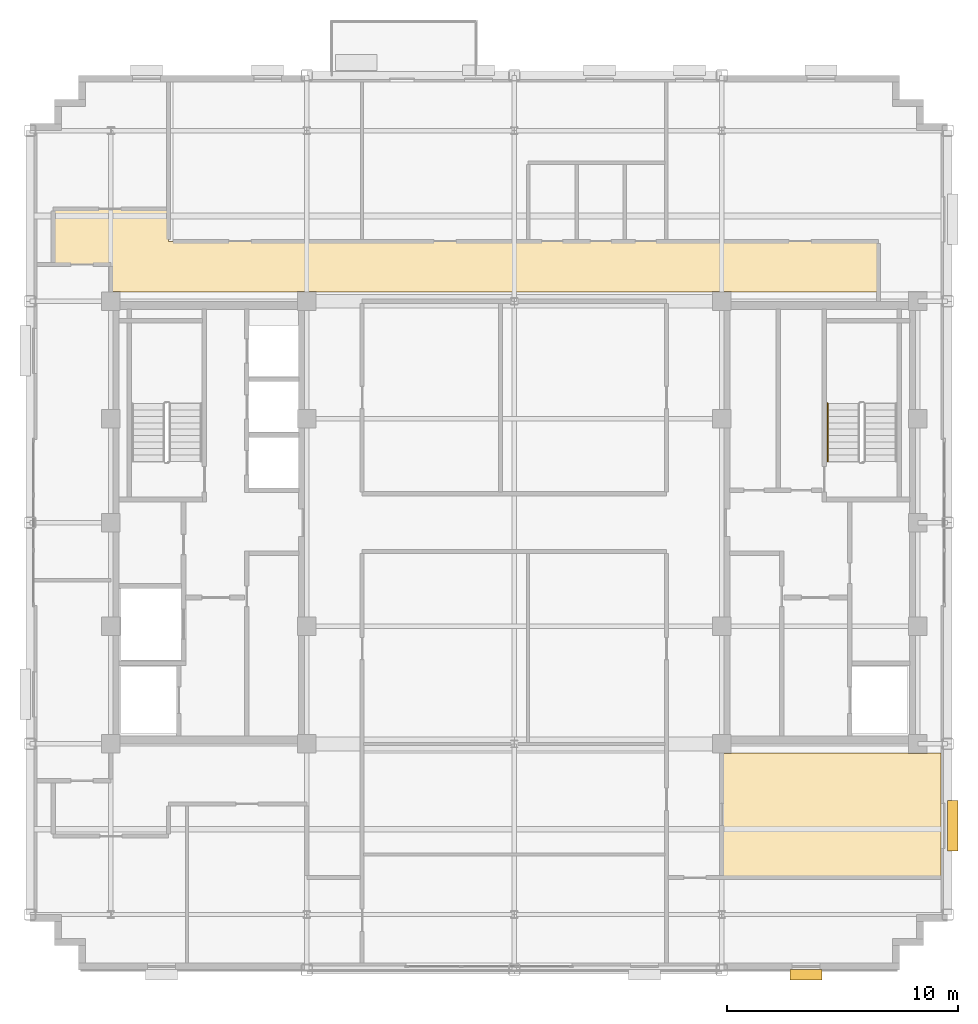
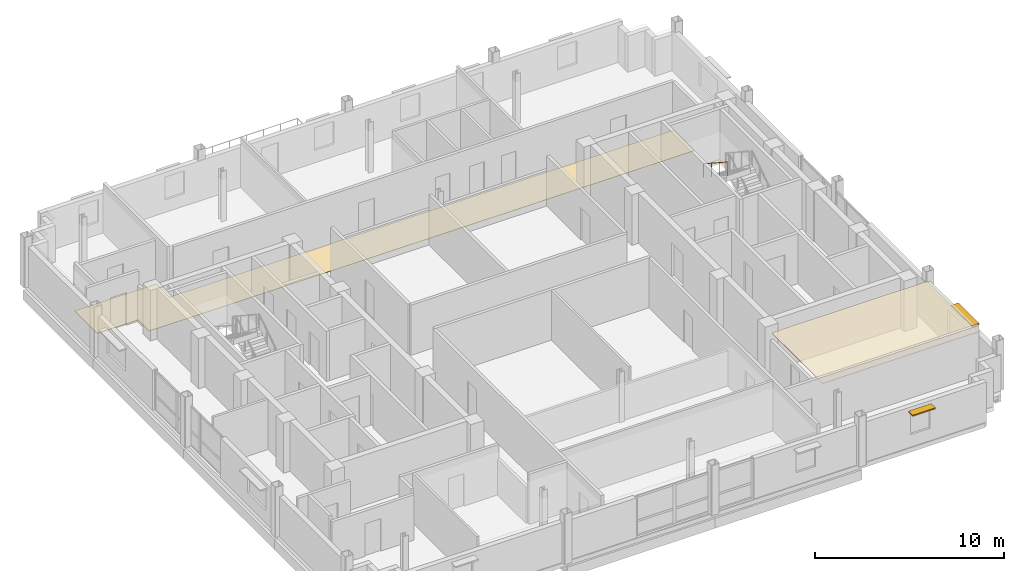
# One storey, part 14 of 16: 2 coverings, 2 shading devices, 1 railing.
"""IFC4 building model written with IfcOpenShell, lengths in metres."""

from ifc_helpers import new_model, si_unit, direction, frame, origin, origin_2d, place, context, subcontext, project, spatial, polyline, rectangle, circle, outline, extrude, source, transform, mapped, material, layer, layer_set, type_object, type_shapes, element, save


model = new_model("IFC4")

# Units and contexts
model_context = context("Model", 3, precision=1e-05, world=origin(), true_north=direction((0.0, 1.0)))
body_context = subcontext(model_context, "Body", "Model", "MODEL_VIEW")
ifc_project = project(units=[si_unit("LENGTHUNIT", "METRE"), si_unit("AREAUNIT", "SQUARE_METRE"), si_unit("VOLUMEUNIT", "CUBIC_METRE"), si_unit("PLANEANGLEUNIT", "RADIAN"), si_unit("MASSUNIT", "GRAM", prefix="KILO")], contexts=[model_context])

# Site, building, storey
site_placement = place(None, origin())
site = spatial("IfcSite", under=ifc_project, at=site_placement, CompositionType="ELEMENT")
building_placement = place(site_placement, origin())
building = spatial("IfcBuilding", under=site, at=building_placement, Name="Nuvemarco Arch Tower", CompositionType="ELEMENT")
storey_placement = place(building_placement, frame((0.0, 0.0, 249.300048828125)))
storey = spatial("IfcBuildingStorey", under=building, at=storey_placement, Name="L66", CompositionType="ELEMENT", Elevation=249.300048828125)

# Coverings
ifc_material_1 = material(Name="Mineral acoustic ceiling tile")
ifc_layer_1 = layer(ifc_material_1, 0.0400390625, Name="COV-ACOUSTIC-CLG")
ifc_layer_set_1 = layer_set([ifc_layer_1], Name="Mineral acoustic ceiling tile")
covering_type_1 = type_object("IfcCoveringType", Name="COV-ACOUSTIC-CLG", PredefinedType="CEILING", material=ifc_layer_set_1)
covering_1_placement = place(storey_placement, frame((0.0, 0.0, 2.72998046875)))
element("IfcCovering", 1, at=covering_1_placement, inside=storey, type_object=covering_type_1, Name="L66 suspended acoustic ceiling 6", PredefinedType="CEILING", context=body_context, shape_type="SweptSolid", body=[
    extrude(outline(polyline([(17.0849609375, -10.014892578125), (17.9150390625, -10.014892578125), (17.9150390625, -10.0), (18.5, -10.0), (18.5, -15.39990234375), (9.0, -15.39990234375), (9.0, -10.014892578125), (9.4150390625, -10.014892578125), (9.4150390625, -10.0), (17.0849609375, -10.0), (17.0849609375, -10.014892578125)])), origin(), (0.0, 0.0, 1.0), 0.0400390625),
])
ifc_material_2 = material(Name="Polished granite terrazzostone flooring", Category="masonry")
ifc_layer_2 = layer(ifc_material_2, 0.02001953125, Name="COV-LOBBY-FLR")
ifc_layer_set_2 = layer_set([ifc_layer_2], Name="Polished granite terrazzostone flooring")
covering_type_2 = type_object("IfcCoveringType", Name="COV-LOBBY-FLR", PredefinedType="FLOORING", material=ifc_layer_set_2)
covering_2_placement = place(storey_placement, origin())
element("IfcCovering", 2, at=covering_2_placement, inside=storey, type_object=covering_type_2, Name="L66 polished terrazzo lobby flooring", PredefinedType="FLOORING", context=body_context, shape_type="SweptSolid", body=[
    extrude(outline(polyline([(-8.5849609375, 10.014892578125), (-9.4150390625, 10.014892578125), (-9.4150390625, 10.0), (-17.0849609375, 10.0), (-17.0849609375, 10.014892578125), (-17.5, 10.014892578125), (-17.5, 11.199951171875), (-20.0, 11.199951171875), (-20.0, 13.60009765625), (-15.0, 13.60009765625), (-15.0, 12.199951171875), (-9.0, 12.199951171875), (-6.60009765625, 12.199951171875), (6.60009765625, 12.199951171875), (9.0, 12.199951171875), (15.800048828125, 12.199951171875), (15.800048828125, 10.0), (9.4150390625, 10.0), (9.4150390625, 10.014892578125), (8.5849609375, 10.014892578125), (8.5849609375, 10.0), (-8.5849609375, 10.0), (-8.5849609375, 10.014892578125)])), origin(), (0.0, 0.0, 1.0), 0.02001953125),
])

# Railing
ifc_material_3 = material(Name="Brushed stainless steel handrail", Category="steel")
railing_type = type_object("IfcRailingType", Name="RL-HANDRAIL-900", PredefinedType="HANDRAIL", material=ifc_material_3)
railing_placement = place(storey_placement, frame((13.590087890625, 5.169921875, 2.007568359375)))
element("IfcRailing", 3, at=railing_placement, inside=storey, type_object=railing_type, Name="L66 ST-2 stair handrail 2", PredefinedType="HANDRAIL", context=body_context, shape_type="SweptSolid", body=[
    extrude(circle(Radius=0.02392578125, at=origin_2d()), frame((0.0, 0.0, 0.8759765625), z_axis=(0.0, -0.837786554691, 0.545997883492), x_axis=(1.0, 0.0, 0.0)), (0.0, 0.0, 1.0), 3.008056640625),
    extrude(circle(Radius=0.02099609375, at=origin_2d()), origin(), (0.0, 0.0, 1.0), 0.851806640625),
    extrude(circle(Radius=0.02099609375, at=origin_2d()), frame((0.0, -0.840087890625, 0.54736328125)), (0.0, 0.0, 1.0), 0.851806640625),
    extrude(circle(Radius=0.02099609375, at=origin_2d()), frame((0.0, -1.679931640625, 1.094970703125)), (0.0, 0.0, 1.0), 0.851806640625),
    extrude(circle(Radius=0.02099609375, at=origin_2d()), frame((0.0, -2.52001953125, 1.642333984375)), (0.0, 0.0, 1.0), 0.851806640625),
])

# Shading devices
ifc_material_4 = material(Name="Anodised aluminium 6063-T6", Category="aluminium")
shading_device_type_1 = type_object("IfcShadingDeviceType", Name="SHD-BRISE-SOLEIL", PredefinedType="USERDEFINED", material=ifc_material_4)
shared_shape_1 = source(origin(), body_context, "Body", "SweptSolid", [
    extrude(rectangle(XDim=2.199951171875, YDim=0.449951171875, at=origin_2d()), origin(), (0.0, 0.0, 1.0), 0.080078125),
])
type_shapes(shading_device_type_1, [shared_shape_1])
shading_device_1_placement = place(storey_placement, frame((19.014892578125, -13.153076171875, 2.284912109375), z_axis=(0.0, 0.0, 1.0), x_axis=(0.0, 1.0, 0.0)))
element("IfcShadingDevice", 4, at=shading_device_1_placement, inside=storey, type_object=shading_device_type_1, Name="L66 horizontal brise-soleil sunshade", ObjectType="SUNSHADE", PredefinedType="USERDEFINED", context=body_context, shape_type="MappedRepresentation", body=[
    mapped(shared_shape_1, transform((0.0, 0.0, 0.0), scale=1.0)),
])
shading_device_type_2 = type_object("IfcShadingDeviceType", Name="SHD-BRISE-NARROW", PredefinedType="USERDEFINED", material=ifc_material_4)
shared_shape_2 = source(origin(), body_context, "Body", "SweptSolid", [
    extrude(rectangle(XDim=1.39990234375, YDim=0.449951171875, at=origin_2d()), origin(), (0.0, 0.0, 1.0), 0.080078125),
])
type_shapes(shading_device_type_2, [shared_shape_2])
shading_device_2_placement = place(storey_placement, frame((12.64990234375, -19.614990234375, 2.284912109375), z_axis=(0.0, 0.0, 1.0), x_axis=(1.0, 0.0, 0.0)))
element("IfcShadingDevice", 5, at=shading_device_2_placement, inside=storey, type_object=shading_device_type_2, Name="L66 horizontal brise-soleil sunshade", ObjectType="SUNSHADE", PredefinedType="USERDEFINED", context=body_context, shape_type="MappedRepresentation", body=[
    mapped(shared_shape_2, transform((0.0, 0.0, 0.0), scale=1.0)),
])

save(model, "model.ifc")
